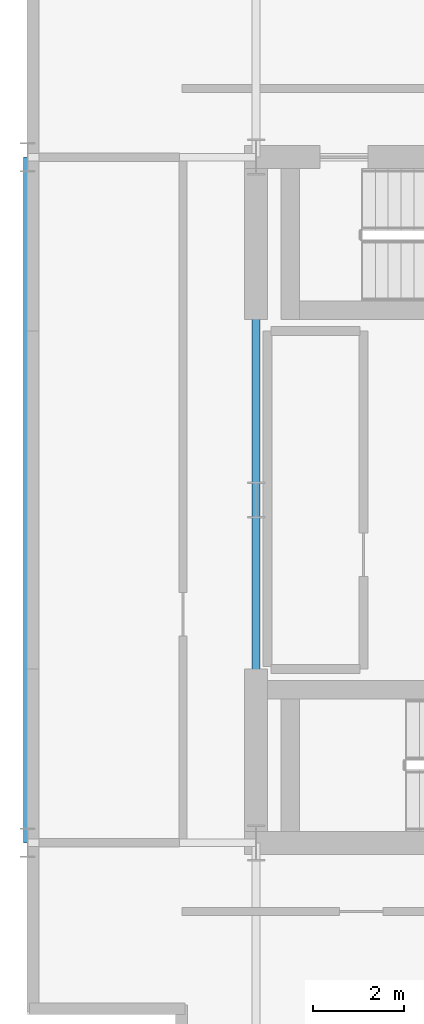
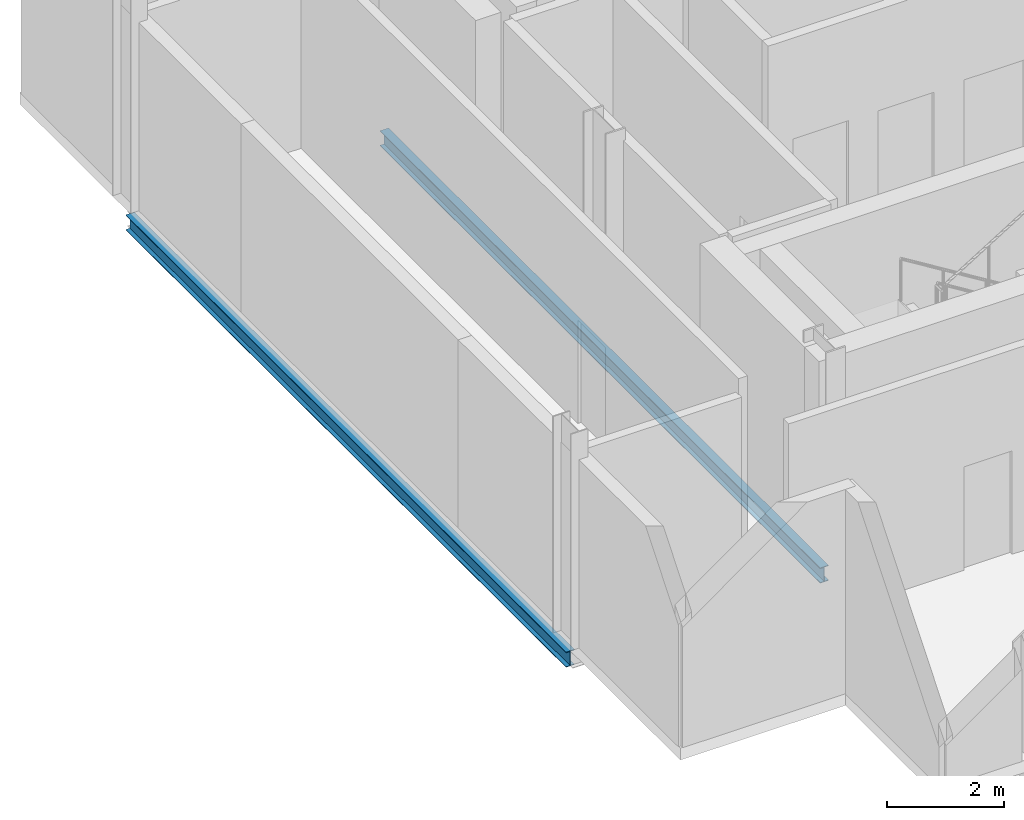
# One storey, part 4 of 10: 2 beams.
"""IFC4 building model written with IfcOpenShell, lengths in metres."""

from ifc_helpers import new_model, si_unit, direction, frame, origin, origin_2d, place, context, subcontext, project, spatial, i_section, extrude, material, material_profile, profile_set, type_object, element, save


model = new_model("IFC4")

# Units and contexts
model_context = context("Model", 3, precision=1e-05, world=origin(), true_north=direction((0.0, 1.0)))
body_context = subcontext(model_context, "Body", "Model", "MODEL_VIEW")
ifc_project = project(units=[si_unit("LENGTHUNIT", "METRE"), si_unit("AREAUNIT", "SQUARE_METRE"), si_unit("VOLUMEUNIT", "CUBIC_METRE"), si_unit("PLANEANGLEUNIT", "RADIAN"), si_unit("MASSUNIT", "GRAM", prefix="KILO")], contexts=[model_context])

# Site, building, storey
site_placement = place(None, origin())
site = spatial("IfcSite", under=ifc_project, at=site_placement, CompositionType="ELEMENT")
building_placement = place(site_placement, origin())
building = spatial("IfcBuilding", under=site, at=building_placement, Name="Barlavira Tower and Art Museum", CompositionType="ELEMENT")
storey_placement = place(building_placement, frame((0.0, 0.0, 314.39990234375)))
storey = spatial("IfcBuildingStorey", under=building, at=storey_placement, Name="L82", CompositionType="ELEMENT", Elevation=314.39990234375)

# Beams
ifc_material = material(Name="Steel S355", Category="steel")
ifc_material_profile = material_profile(ifc_material, i_section(OverallWidth=0.1669921875, OverallDepth=0.31689453125, WebThickness=0.007568359375, FlangeThickness=0.01318359375, at=origin_2d()), Name="W310x52.0")
ifc_profile_set = profile_set([ifc_material_profile], Name="Steel S355")
beam_type = type_object("IfcBeamType", Name="Crown Floor Joist W310x52 Steel S355", PredefinedType="JOIST", material=ifc_profile_set)
for number, where, z_axis, x_axis, name in (
    (1, (-11.5, -7.5, -0.408447265625), (0.0, 1.0, 0.0), (-1.0, 0.0, 0.0), "L82 Crown Ring Beam CW1"),
    (2, (-6.5, -7.5, -0.408447265625), (0.0, 1.0, 0.0), (-1.0, 0.0, 0.0), "L82 Crown Ring Beam CI3"),
):
    element("IfcBeam", number, at=place(storey_placement, frame(where, z_axis=z_axis, x_axis=x_axis)), inside=storey, type_object=beam_type, Name=name, PredefinedType="JOIST", context=body_context, shape_type="SweptSolid", body=[
        extrude(i_section(OverallWidth=0.1669921875, OverallDepth=0.31689453125, WebThickness=0.007568359375, FlangeThickness=0.01318359375, at=origin_2d()), origin(), (0.0, 0.0, 1.0), 15.0),
    ])

save(model, "model.ifc")
